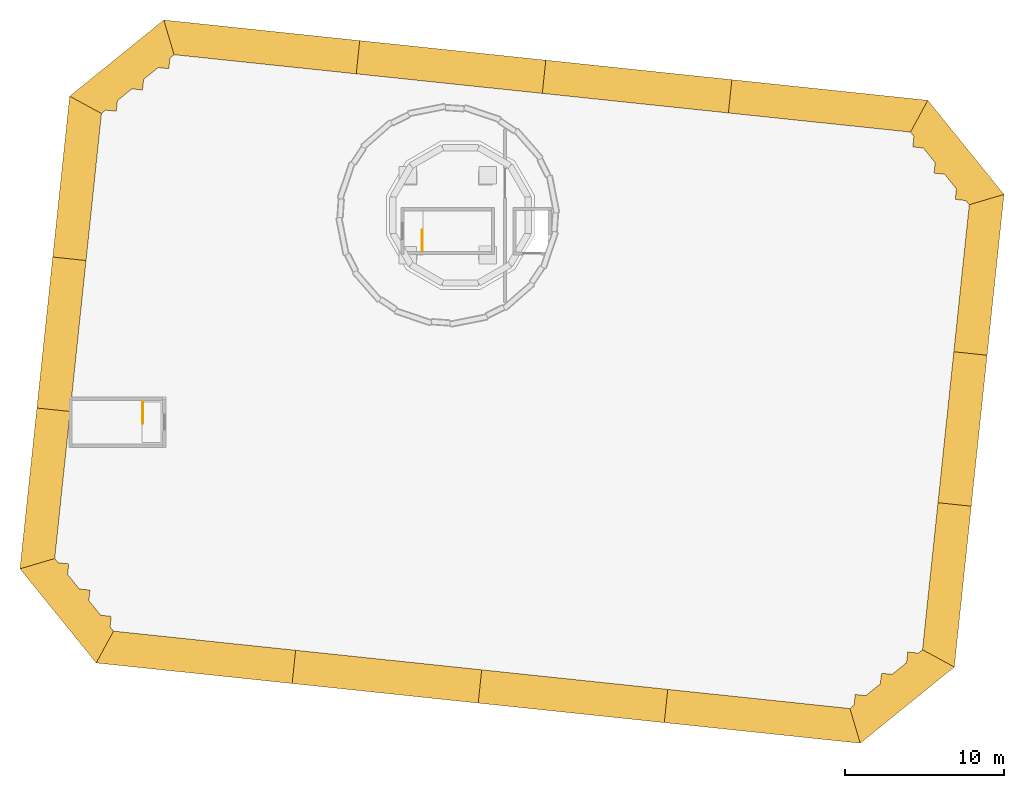
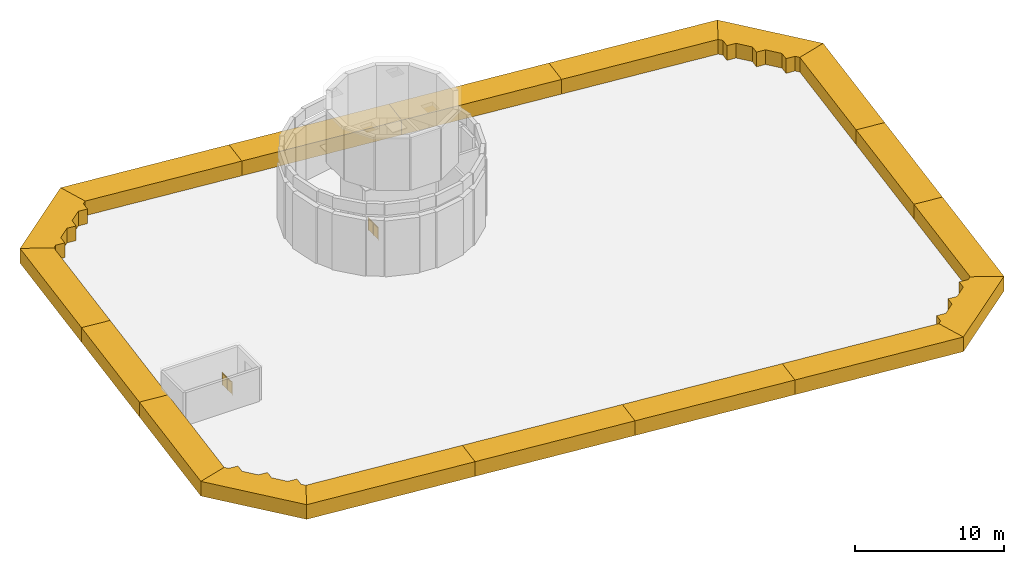
# One storey, part 3 of 3: 18 shading devices, 2 railings.
"""IFC4 building model written with IfcOpenShell, lengths in metres."""

from ifc_helpers import new_model, si_unit, direction, frame, origin, origin_2d, place, context, subcontext, project, spatial, polyline, rectangle, circle, outline, extrude, material, layer, layer_set, type_object, element, save


model = new_model("IFC4")

# Units and contexts
model_context = context("Model", 3, precision=1e-05, world=origin(), true_north=direction((0.0, 1.0)))
body_context = subcontext(model_context, "Body", "Model", "MODEL_VIEW")
ifc_project = project(units=[si_unit("LENGTHUNIT", "METRE"), si_unit("AREAUNIT", "SQUARE_METRE"), si_unit("VOLUMEUNIT", "CUBIC_METRE"), si_unit("PLANEANGLEUNIT", "RADIAN"), si_unit("MASSUNIT", "GRAM", prefix="KILO")], contexts=[model_context])

# Site, building, storey
site_placement = place(None, origin())
site = spatial("IfcSite", under=ifc_project, at=site_placement, CompositionType="ELEMENT")
building_placement = place(site_placement, origin())
building = spatial("IfcBuilding", under=site, at=building_placement, Name="Vidyagriha Tower", CompositionType="ELEMENT")
storey_placement = place(building_placement, frame((0.0, 0.0, 313.39990234375)))
storey = spatial("IfcBuildingStorey", under=building, at=storey_placement, Name="L80", CompositionType="ELEMENT", Elevation=313.39990234375)

# Shading devices
ifc_material_1 = material(Name="Precast concrete C40/50 with brick facing", Category="concrete")
ifc_layer = layer(ifc_material_1, 2.10009765625)
ifc_layer_set = layer_set([ifc_layer], Name="Precast concrete C40/50 with brick facing")
shading_device_type = type_object("IfcShadingDeviceType", Name="Brick parapet cornice 1200", PredefinedType="USERDEFINED", material=ifc_layer_set)
shading_device_1_placement = place(storey_placement, origin())
element("IfcShadingDevice", 1, at=shading_device_1_placement, inside=storey, type_object=shading_device_type, Name="Crown parapet cornice 1", ObjectType="CROWN CORNICE", PredefinedType="USERDEFINED", context=body_context, shape_type="SweptSolid", body=[
    extrude(outline(polyline([(31.813720703125, -15.3701171875), (32.875, -5.271240234375), (30.78662109375, -5.051513671875), (29.81591796875, -14.28564453125), (31.813720703125, -15.3701171875)])), origin(), (0.0, 0.0, 1.0), 1.2001953125),
])
shading_device_2_placement = place(storey_placement, origin())
element("IfcShadingDevice", 2, at=shading_device_2_placement, inside=storey, type_object=shading_device_type, Name="Crown parapet cornice 2", ObjectType="CROWN CORNICE", PredefinedType="USERDEFINED", context=body_context, shape_type="SweptSolid", body=[
    extrude(outline(polyline([(32.875, -5.271240234375), (33.87158203125, 4.2099609375), (31.782958984375, 4.429443359375), (30.78662109375, -5.051513671875), (32.875, -5.271240234375)])), origin(), (0.0, 0.0, 1.0), 1.2001953125),
])
shading_device_3_placement = place(storey_placement, origin())
element("IfcShadingDevice", 3, at=shading_device_3_placement, inside=storey, type_object=shading_device_type, Name="Crown parapet cornice 3", ObjectType="CROWN CORNICE", PredefinedType="USERDEFINED", context=body_context, shape_type="SweptSolid", body=[
    extrude(outline(polyline([(34.93310546875, 14.30908203125), (34.93310546875, 14.30908203125), (32.75341796875, 13.663330078125), (31.782958984375, 4.429443359375), (33.87158203125, 4.2099609375), (34.93310546875, 14.30908203125)])), origin(), (0.0, 0.0, 1.0), 1.2001953125),
])
shading_device_4_placement = place(storey_placement, origin())
element("IfcShadingDevice", 4, at=shading_device_4_placement, inside=storey, type_object=shading_device_type, Name="Crown parapet cornice 4", ObjectType="CROWN CORNICE", PredefinedType="USERDEFINED", context=body_context, shape_type="SweptSolid", body=[
    extrude(outline(polyline([(34.93310546875, 14.30908203125), (30.14599609375, 20.220458984375), (29.061279296875, 18.222900390625), (29.273681640625, 17.960693359375), (29.20361328125, 17.29296875), (29.871337890625, 17.22265625), (30.608642578125, 16.31201171875), (30.53857421875, 15.644287109375), (31.206298828125, 15.57421875), (31.943603515625, 14.66357421875), (31.87353515625, 13.99560546875), (32.541259765625, 13.925537109375), (32.75341796875, 13.663330078125), (32.75341796875, 13.663330078125), (34.93310546875, 14.30908203125)])), origin(), (0.0, 0.0, 1.0), 1.2001953125),
])
shading_device_5_placement = place(storey_placement, origin())
element("IfcShadingDevice", 5, at=shading_device_5_placement, inside=storey, type_object=shading_device_type, Name="Crown parapet cornice 5", ObjectType="CROWN CORNICE", PredefinedType="USERDEFINED", context=body_context, shape_type="SweptSolid", body=[
    extrude(outline(polyline([(30.14599609375, 20.220458984375), (17.84228515625, 21.513671875), (17.622802734375, 19.425048828125), (29.061279296875, 18.222900390625), (30.14599609375, 20.220458984375)])), origin(), (0.0, 0.0, 1.0), 1.2001953125),
])
shading_device_6_placement = place(storey_placement, origin())
element("IfcShadingDevice", 6, at=shading_device_6_placement, inside=storey, type_object=shading_device_type, Name="Crown parapet cornice 6", ObjectType="CROWN CORNICE", PredefinedType="USERDEFINED", context=body_context, shape_type="SweptSolid", body=[
    extrude(outline(polyline([(17.84228515625, 21.513671875), (6.15673828125, 22.74169921875), (5.937255859375, 20.6533203125), (17.622802734375, 19.425048828125), (17.84228515625, 21.513671875)])), origin(), (0.0, 0.0, 1.0), 1.2001953125),
])
shading_device_7_placement = place(storey_placement, origin())
element("IfcShadingDevice", 7, at=shading_device_7_placement, inside=storey, type_object=shading_device_type, Name="Crown parapet cornice 7", ObjectType="CROWN CORNICE", PredefinedType="USERDEFINED", context=body_context, shape_type="SweptSolid", body=[
    extrude(outline(polyline([(6.15673828125, 22.74169921875), (-5.52880859375, 23.969970703125), (-5.748291015625, 21.881591796875), (5.937255859375, 20.6533203125), (6.15673828125, 22.74169921875)])), origin(), (0.0, 0.0, 1.0), 1.2001953125),
])
shading_device_8_placement = place(storey_placement, origin())
element("IfcShadingDevice", 8, at=shading_device_8_placement, inside=storey, type_object=shading_device_type, Name="Crown parapet cornice 8", ObjectType="CROWN CORNICE", PredefinedType="USERDEFINED", context=body_context, shape_type="SweptSolid", body=[
    extrude(outline(polyline([(-5.52880859375, 23.969970703125), (-17.83251953125, 25.26318359375), (-17.186767578125, 23.083740234375), (-17.186767578125, 23.083740234375), (-5.748291015625, 21.881591796875), (-5.52880859375, 23.969970703125)])), origin(), (0.0, 0.0, 1.0), 1.2001953125),
])
shading_device_9_placement = place(storey_placement, origin())
element("IfcShadingDevice", 9, at=shading_device_9_placement, inside=storey, type_object=shading_device_type, Name="Crown parapet cornice 9", ObjectType="CROWN CORNICE", PredefinedType="USERDEFINED", context=body_context, shape_type="SweptSolid", body=[
    extrude(outline(polyline([(-23.743896484375, 20.476318359375), (-23.743896484375, 20.476318359375), (-21.746337890625, 19.3916015625), (-21.484130859375, 19.60400390625), (-20.81640625, 19.53369140625), (-20.74609375, 20.201416015625), (-19.83544921875, 20.938720703125), (-19.167724609375, 20.86865234375), (-19.097412109375, 21.536376953125), (-18.18701171875, 22.273681640625), (-17.519287109375, 22.20361328125), (-17.448974609375, 22.871337890625), (-17.186767578125, 23.083740234375), (-17.83251953125, 25.26318359375), (-17.83251953125, 25.26318359375), (-23.743896484375, 20.476318359375)])), origin(), (0.0, 0.0, 1.0), 1.2001953125),
])
shading_device_10_placement = place(storey_placement, origin())
element("IfcShadingDevice", 10, at=shading_device_10_placement, inside=storey, type_object=shading_device_type, Name="Crown parapet cornice 10", ObjectType="CROWN CORNICE", PredefinedType="USERDEFINED", context=body_context, shape_type="SweptSolid", body=[
    extrude(outline(polyline([(-23.743896484375, 20.476318359375), (-24.805419921875, 10.377197265625), (-22.716796875, 10.15771484375), (-21.746337890625, 19.3916015625), (-23.743896484375, 20.476318359375)])), origin(), (0.0, 0.0, 1.0), 1.2001953125),
])
shading_device_11_placement = place(storey_placement, origin())
element("IfcShadingDevice", 11, at=shading_device_11_placement, inside=storey, type_object=shading_device_type, Name="Crown parapet cornice 11", ObjectType="CROWN CORNICE", PredefinedType="USERDEFINED", context=body_context, shape_type="SweptSolid", body=[
    extrude(outline(polyline([(-24.805419921875, 10.377197265625), (-25.8017578125, 0.89599609375), (-23.71337890625, 0.676513671875), (-22.716796875, 10.15771484375), (-24.805419921875, 10.377197265625)])), origin(), (0.0, 0.0, 1.0), 1.2001953125),
])
shading_device_12_placement = place(storey_placement, origin())
element("IfcShadingDevice", 12, at=shading_device_12_placement, inside=storey, type_object=shading_device_type, Name="Crown parapet cornice 12", ObjectType="CROWN CORNICE", PredefinedType="USERDEFINED", context=body_context, shape_type="SweptSolid", body=[
    extrude(outline(polyline([(-25.8017578125, 0.89599609375), (-26.86328125, -9.202880859375), (-24.683837890625, -8.557373046875), (-24.683837890625, -8.557373046875), (-23.71337890625, 0.676513671875), (-25.8017578125, 0.89599609375)])), origin(), (0.0, 0.0, 1.0), 1.2001953125),
])
shading_device_13_placement = place(storey_placement, origin())
element("IfcShadingDevice", 13, at=shading_device_13_placement, inside=storey, type_object=shading_device_type, Name="Crown parapet cornice 13", ObjectType="CROWN CORNICE", PredefinedType="USERDEFINED", context=body_context, shape_type="SweptSolid", body=[
    extrude(outline(polyline([(-22.076171875, -15.114501953125), (-22.076171875, -15.114501953125), (-20.99169921875, -13.116943359375), (-21.203857421875, -12.854736328125), (-21.1337890625, -12.18701171875), (-21.801513671875, -12.11669921875), (-22.538818359375, -11.2060546875), (-22.46875, -10.538330078125), (-23.136474609375, -10.46826171875), (-23.873779296875, -9.5576171875), (-23.8037109375, -8.889892578125), (-24.471435546875, -8.819580078125), (-24.683837890625, -8.557373046875), (-26.86328125, -9.202880859375), (-26.86328125, -9.202880859375), (-22.076171875, -15.114501953125)])), origin(), (0.0, 0.0, 1.0), 1.2001953125),
])
shading_device_14_placement = place(storey_placement, origin())
element("IfcShadingDevice", 14, at=shading_device_14_placement, inside=storey, type_object=shading_device_type, Name="Crown parapet cornice 14", ObjectType="CROWN CORNICE", PredefinedType="USERDEFINED", context=body_context, shape_type="SweptSolid", body=[
    extrude(outline(polyline([(-22.076171875, -15.114501953125), (-9.772705078125, -16.40771484375), (-9.55322265625, -14.319091796875), (-20.99169921875, -13.116943359375), (-22.076171875, -15.114501953125)])), origin(), (0.0, 0.0, 1.0), 1.2001953125),
])
shading_device_15_placement = place(storey_placement, origin())
element("IfcShadingDevice", 15, at=shading_device_15_placement, inside=storey, type_object=shading_device_type, Name="Crown parapet cornice 15", ObjectType="CROWN CORNICE", PredefinedType="USERDEFINED", context=body_context, shape_type="SweptSolid", body=[
    extrude(outline(polyline([(-9.772705078125, -16.40771484375), (1.912841796875, -17.6357421875), (2.13232421875, -15.54736328125), (-9.55322265625, -14.319091796875), (-9.772705078125, -16.40771484375)])), origin(), (0.0, 0.0, 1.0), 1.2001953125),
])
shading_device_16_placement = place(storey_placement, origin())
element("IfcShadingDevice", 16, at=shading_device_16_placement, inside=storey, type_object=shading_device_type, Name="Crown parapet cornice 16", ObjectType="CROWN CORNICE", PredefinedType="USERDEFINED", context=body_context, shape_type="SweptSolid", body=[
    extrude(outline(polyline([(1.912841796875, -17.6357421875), (13.5986328125, -18.864013671875), (13.818115234375, -16.775390625), (2.13232421875, -15.54736328125), (1.912841796875, -17.6357421875)])), origin(), (0.0, 0.0, 1.0), 1.2001953125),
])
shading_device_17_placement = place(storey_placement, origin())
element("IfcShadingDevice", 17, at=shading_device_17_placement, inside=storey, type_object=shading_device_type, Name="Crown parapet cornice 17", ObjectType="CROWN CORNICE", PredefinedType="USERDEFINED", context=body_context, shape_type="SweptSolid", body=[
    extrude(outline(polyline([(13.5986328125, -18.864013671875), (25.902099609375, -20.1572265625), (25.256591796875, -17.977783203125), (25.256591796875, -17.977783203125), (13.818115234375, -16.775390625), (13.5986328125, -18.864013671875)])), origin(), (0.0, 0.0, 1.0), 1.2001953125),
])
shading_device_18_placement = place(storey_placement, origin())
element("IfcShadingDevice", 18, at=shading_device_18_placement, inside=storey, type_object=shading_device_type, Name="Crown parapet cornice 18", ObjectType="CROWN CORNICE", PredefinedType="USERDEFINED", context=body_context, shape_type="SweptSolid", body=[
    extrude(outline(polyline([(25.902099609375, -20.1572265625), (25.902099609375, -20.1572265625), (31.813720703125, -15.3701171875), (31.813720703125, -15.3701171875), (29.81591796875, -14.28564453125), (29.81591796875, -14.28564453125), (29.5537109375, -14.497802734375), (28.885986328125, -14.427734375), (28.81591796875, -15.095458984375), (27.9052734375, -15.8330078125), (27.237548828125, -15.7626953125), (27.167236328125, -16.430419921875), (26.256591796875, -17.16796875), (25.5888671875, -17.09765625), (25.518798828125, -17.765380859375), (25.256591796875, -17.977783203125), (25.902099609375, -20.1572265625)])), origin(), (0.0, 0.0, 1.0), 1.2001953125),
])

# Railings
ifc_material_2 = material(Name="Steel ASTM A500 Grade C", Category="steel")
railing_type = type_object("IfcRailingType", Name="Stair guard 1100 mm, steel balustrade", PredefinedType="GUARDRAIL", material=ifc_material_2)
railing_1_placement = place(storey_placement, frame((-1.60009765625, 10.72509765625, 0.0)))
element("IfcRailing", 19, at=railing_1_placement, inside=storey, type_object=railing_type, Name="L80 ST-D top well guard 1", PredefinedType="GUARDRAIL", context=body_context, shape_type="SweptSolid", body=[
    extrude(circle(Radius=0.02392578125, at=origin_2d()), frame((0.0, 0.0, 1.076171875), z_axis=(0.0, 1.0, 0.0), x_axis=(-1.0, 0.0, 0.0)), (0.0, 0.0, 1.0), 1.349853515625),
    extrude(circle(Radius=0.02099609375, at=origin_2d()), origin(), (0.0, 0.0, 1.0), 1.052001953125),
    extrude(circle(Radius=0.02099609375, at=origin_2d()), frame((0.0, 0.6748046875, 0.0)), (0.0, 0.0, 1.0), 1.052001953125),
    extrude(circle(Radius=0.02099609375, at=origin_2d()), frame((0.0, 1.349853515625, 0.0)), (0.0, 0.0, 1.0), 1.052001953125),
    extrude(rectangle(XDim=0.010009765625, YDim=0.902099609375, at=origin_2d()), frame((0.0, 0.0, 0.551025390625), z_axis=(0.0, 1.0, 0.0), x_axis=(-1.0, 0.0, 0.0)), (0.0, 0.0, 1.0), 1.349853515625),
])
railing_2_placement = place(storey_placement, frame((-19.14990234375, 1.27490234375, 0.0)))
element("IfcRailing", 20, at=railing_2_placement, inside=storey, type_object=railing_type, Name="L80 ST-D2 top well guard 1", PredefinedType="GUARDRAIL", context=body_context, shape_type="SweptSolid", body=[
    extrude(circle(Radius=0.02392578125, at=origin_2d()), frame((0.0, 0.0, 1.076171875), z_axis=(0.0, -1.0, 0.0), x_axis=(1.0, 0.0, 0.0)), (0.0, 0.0, 1.0), 1.349853515625),
    extrude(circle(Radius=0.02099609375, at=origin_2d()), origin(), (0.0, 0.0, 1.0), 1.052001953125),
    extrude(circle(Radius=0.02099609375, at=origin_2d()), frame((0.0, -0.6748046875, 0.0)), (0.0, 0.0, 1.0), 1.052001953125),
    extrude(circle(Radius=0.02099609375, at=origin_2d()), frame((0.0, -1.349853515625, 0.0)), (0.0, 0.0, 1.0), 1.052001953125),
    extrude(rectangle(XDim=0.010009765625, YDim=0.902099609375, at=origin_2d()), frame((0.0, 0.0, 0.551025390625), z_axis=(0.0, -1.0, 0.0), x_axis=(1.0, 0.0, 0.0)), (0.0, 0.0, 1.0), 1.349853515625),
])

save(model, "model.ifc")
